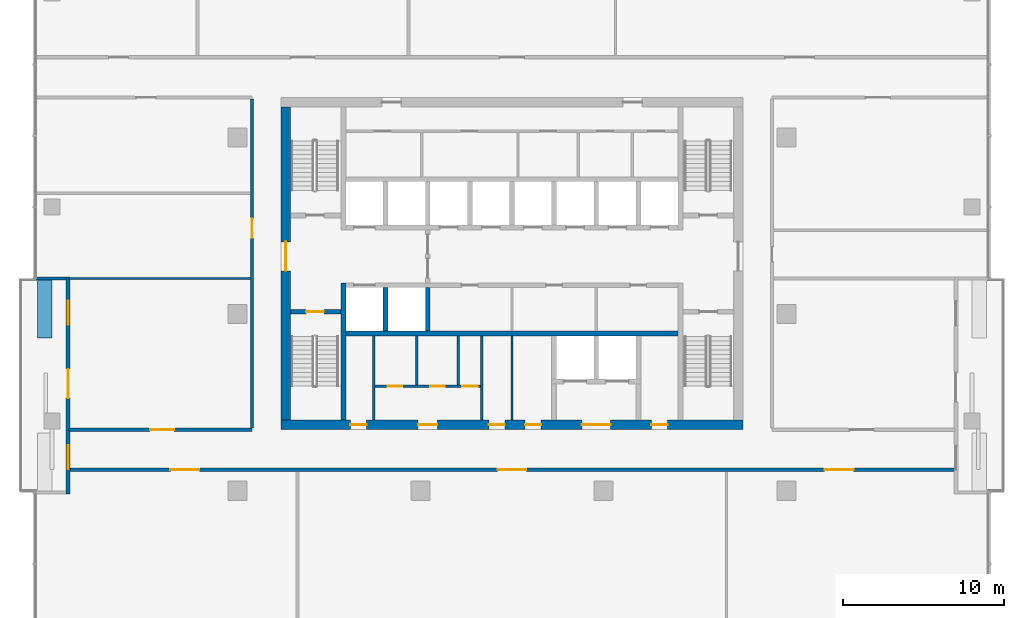
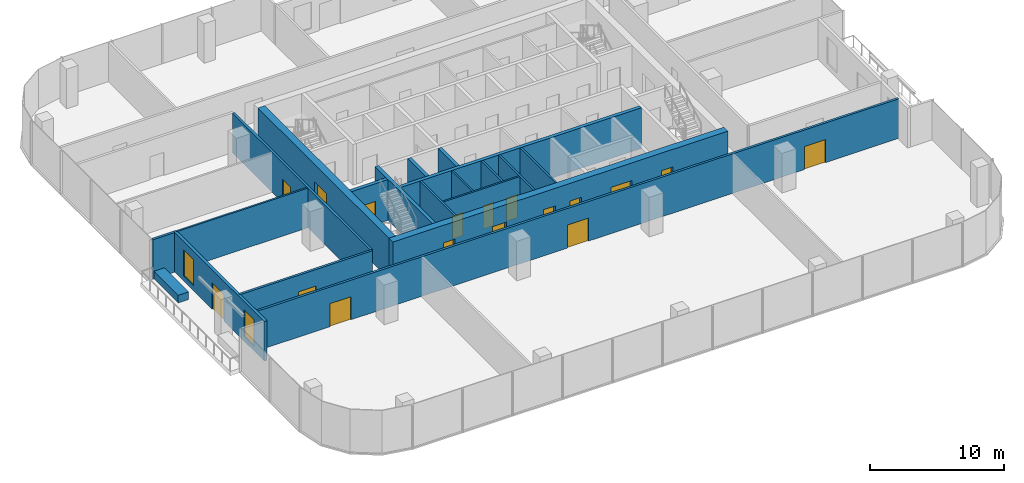
# One storey, part 7 of 13: 20 walls, 17 doors, 2 windows, 19 openings.
"""IFC4 building model written with IfcOpenShell, lengths in metres."""

from ifc_helpers import new_model, si_unit, direction, frame, frame_2d, origin, place, context, subcontext, project, spatial, rectangle, extrude, material, layer, layer_set, type_object, element, fill, save


model = new_model("IFC4")

# Units and contexts
model_context = context("Model", 3, precision=1e-05, world=origin(), true_north=direction((0.0, 1.0)))
body_context = subcontext(model_context, "Body", "Model", "MODEL_VIEW")
ifc_project = project(units=[si_unit("LENGTHUNIT", "METRE"), si_unit("AREAUNIT", "SQUARE_METRE"), si_unit("VOLUMEUNIT", "CUBIC_METRE"), si_unit("PLANEANGLEUNIT", "RADIAN"), si_unit("MASSUNIT", "GRAM", prefix="KILO")], contexts=[model_context])

# Site, building, storey
site_placement = place(None, origin())
site = spatial("IfcSite", under=ifc_project, at=site_placement, CompositionType="ELEMENT")
building_placement = place(site_placement, origin())
building = spatial("IfcBuilding", under=site, at=building_placement, Name="Mopane Tessera Tower", CompositionType="ELEMENT")
storey_placement = place(building_placement, frame((0.0, 0.0, 275.39990234375)))
storey = spatial("IfcBuildingStorey", under=building, at=storey_placement, Name="L59", CompositionType="ELEMENT", Elevation=275.39990234375)

# Wall
ifc_material_1 = material(Name="Fire-rated gypsum board partition")
ifc_layer_1 = layer(ifc_material_1, 0.14990234375)
ifc_layer_set_1 = layer_set([ifc_layer_1], Name="Fire-rated gypsum board partition")
wall_type_1 = type_object("IfcWallType", Name="Core room partition 150 mm", PredefinedType="PARTITIONING", material=ifc_layer_set_1)
wall_1_placement = place(storey_placement, frame((-8.625, -6.60009765625, 0.0), z_axis=(0.0, 0.0, 1.0), x_axis=(0.0, 1.0, 0.0)))
element("IfcWall", 1, at=wall_1_placement, inside=storey, type_object=wall_type_1, Name="L59 Room partition", PredefinedType="PARTITIONING", context=body_context, shape_type="SweptSolid", body=[
    extrude(rectangle(XDim=5.25, YDim=0.14990234375, at=frame_2d((2.625, 0.0))), origin(), (0.0, 0.0, 1.0), 3.7001953125),
])

# Wall, openings, doors
wall_2_placement = place(storey_placement, frame((-8.550048828125, -4.5, 0.0), z_axis=(0.0, 0.0, 1.0), x_axis=(1.0, 0.0, 0.0)))
wall_2 = element("IfcWall", 2, at=wall_2_placement, inside=storey, type_object=wall_type_1, Name="L59 WC partition", PredefinedType="PARTITIONING", context=body_context, shape_type="SweptSolid", body=[
    extrude(rectangle(XDim=6.60009765625, YDim=0.14990234375, at=frame_2d((3.300048828125, 0.0))), origin(), (0.0, 0.0, 1.0), 3.7001953125),
])
opening_1_placement = place(wall_2_placement, frame((0.824951171875, 0.0, 0.0)))
opening_1 = element("IfcOpeningElement", 3, at=opening_1_placement, cuts=wall_2, Name="Opening WD1", PredefinedType="OPENING", context=body_context, shape_type="SweptSolid", body=[
    extrude(rectangle(XDim=0.89990234375, YDim=2.10009765625, at=frame_2d((0.449951171875, 1.050048828125))), frame((0.0, 0.0869140625, 0.0), z_axis=(0.0, -1.0, 0.0), x_axis=(1.0, 0.0, 0.0)), (0.0, 0.0, 1.0), 0.173828125),
])
opening_2_placement = place(wall_2_placement, frame((3.45751953125, 0.0, 0.0)))
opening_2 = element("IfcOpeningElement", 4, at=opening_2_placement, cuts=wall_2, Name="Opening WD1", PredefinedType="OPENING", context=body_context, shape_type="SweptSolid", body=[
    extrude(rectangle(XDim=0.89990234375, YDim=2.10009765625, at=frame_2d((0.449951171875, 1.050048828125))), frame((0.0, 0.0869140625, 0.0), z_axis=(0.0, -1.0, 0.0), x_axis=(1.0, 0.0, 0.0)), (0.0, 0.0, 1.0), 0.173828125),
])
opening_3_placement = place(wall_2_placement, frame((5.45751953125, 0.0, 0.0)))
opening_3 = element("IfcOpeningElement", 5, at=opening_3_placement, cuts=wall_2, Name="Opening WD2", PredefinedType="OPENING", context=body_context, shape_type="SweptSolid", body=[
    extrude(rectangle(XDim=0.949951171875, YDim=2.10009765625, at=frame_2d((0.47509765625, 1.050048828125))), frame((0.0, 0.0869140625, 0.0), z_axis=(0.0, -1.0, 0.0), x_axis=(1.0, 0.0, 0.0)), (0.0, 0.0, 1.0), 0.173828125),
])
ifc_material_2 = material(Name="Timber door", Category="wood")
door_type_1 = type_object("IfcDoorType", Name="Accessible WC door 950 x 2100", OperationType="SINGLE_SWING_LEFT", PredefinedType="DOOR", material=ifc_material_2)
door_1_placement = place(opening_3_placement, origin())
door_1 = element("IfcDoor", 6, at=door_1_placement, inside=storey, type_object=door_type_1, Name="L59 Accessible WC door", OperationType="SINGLE_SWING_LEFT", OverallHeight=2.10009765625, OverallWidth=0.949951171875, PredefinedType="DOOR", context=body_context, shape_type="SweptSolid", body=[
    extrude(rectangle(XDim=0.949951171875, YDim=2.10009765625, at=frame_2d((0.47509765625, 1.050048828125))), frame((0.0, 0.02490234375, 0.0), z_axis=(0.0, -1.0, 0.0), x_axis=(1.0, 0.0, 0.0)), (0.0, 0.0, 1.0), 0.050048828125),
])
fill(opening_3, door_1)
ifc_material_3 = material(Name="Timber door", Category="wood")
door_type_2 = type_object("IfcDoorType", Name="WC cubicle door 900 x 2100", OperationType="SINGLE_SWING_LEFT", PredefinedType="DOOR", material=ifc_material_3)
door_2_placement = place(opening_1_placement, origin())
door_2 = element("IfcDoor", 7, at=door_2_placement, inside=storey, type_object=door_type_2, Name="L59 Men's WC door", OperationType="SINGLE_SWING_LEFT", OverallHeight=2.10009765625, OverallWidth=0.89990234375, PredefinedType="DOOR", context=body_context, shape_type="SweptSolid", body=[
    extrude(rectangle(XDim=0.89990234375, YDim=2.10009765625, at=frame_2d((0.449951171875, 1.050048828125))), frame((0.0, 0.02490234375, 0.0), z_axis=(0.0, -1.0, 0.0), x_axis=(1.0, 0.0, 0.0)), (0.0, 0.0, 1.0), 0.050048828125),
])
fill(opening_1, door_2)
door_3_placement = place(opening_2_placement, origin())
door_3 = element("IfcDoor", 8, at=door_3_placement, inside=storey, type_object=door_type_2, Name="L59 Women's WC door", OperationType="SINGLE_SWING_LEFT", OverallHeight=2.10009765625, OverallWidth=0.89990234375, PredefinedType="DOOR", context=body_context, shape_type="SweptSolid", body=[
    extrude(rectangle(XDim=0.89990234375, YDim=2.10009765625, at=frame_2d((0.449951171875, 1.050048828125))), frame((0.0, 0.02490234375, 0.0), z_axis=(0.0, -1.0, 0.0), x_axis=(1.0, 0.0, 0.0)), (0.0, 0.0, 1.0), 0.050048828125),
])
fill(opening_2, door_3)

# Walls
for number, where, z_axis, x_axis, name in (
    (9, (-5.925048828125, -4.425048828125, 0.0), (0.0, 0.0, 1.0), (0.0, 1.0, 0.0), "L59 WC partition"),
    (10, (-3.360107421875, -4.425048828125, 0.0), (0.0, 0.0, 1.0), (0.0, 1.0, 0.0), "L59 WC partition"),
):
    element("IfcWall", number, at=place(storey_placement, frame(where, z_axis=z_axis, x_axis=x_axis)), inside=storey, type_object=wall_type_1, Name=name, PredefinedType="PARTITIONING", context=body_context, shape_type="SweptSolid", body=[
        extrude(rectangle(XDim=3.074951171875, YDim=0.14990234375, at=frame_2d((1.53759765625, 0.0))), origin(), (0.0, 0.0, 1.0), 3.7001953125),
    ])
for number, where, z_axis, x_axis, name in (
    (11, (-1.875, -6.60009765625, 0.0), (0.0, 0.0, 1.0), (0.0, 1.0, 0.0), "L59 Room partition"),
    (12, (0.0, -6.60009765625, 0.0), (0.0, 0.0, 1.0), (0.0, 1.0, 0.0), "L59 Room partition"),
):
    element("IfcWall", number, at=place(storey_placement, frame(where, z_axis=z_axis, x_axis=x_axis)), inside=storey, type_object=wall_type_1, Name=name, PredefinedType="PARTITIONING", context=body_context, shape_type="SweptSolid", body=[
        extrude(rectangle(XDim=5.25, YDim=0.14990234375, at=frame_2d((2.625, 0.0))), origin(), (0.0, 0.0, 1.0), 3.7001953125),
    ])

# Wall, openings, doors
ifc_material_4 = material(Name="Concrete C70/85", Category="concrete")
ifc_layer_2 = layer(ifc_material_4, 0.60009765625)
ifc_layer_set_2 = layer_set([ifc_layer_2], Name="Concrete C70/85")
wall_type_2 = type_object("IfcWallType", Name="Core shear wall 600 mm", PredefinedType="SHEAR", material=ifc_layer_set_2)
wall_3_placement = place(storey_placement, frame((-14.39990234375, -6.89990234375, 0.0), z_axis=(0.0, 0.0, 1.0), x_axis=(1.0, 0.0, 0.0)))
wall_3 = element("IfcWall", 13, at=wall_3_placement, inside=storey, type_object=wall_type_2, Name="L59 Core wall south", PredefinedType="SHEAR", context=body_context, shape_type="SweptSolid", body=[
    extrude(rectangle(XDim=28.7998046875, YDim=0.60009765625, at=frame_2d((14.39990234375, 0.0))), origin(), (0.0, 0.0, 1.0), 3.7001953125),
])
opening_4_placement = place(wall_3_placement, frame((4.33740234375, 0.0, 0.0)))
opening_4 = element("IfcOpeningElement", 14, at=opening_4_placement, cuts=wall_3, Name="Opening RD1", PredefinedType="OPENING", context=body_context, shape_type="SweptSolid", body=[
    extrude(rectangle(XDim=1.0, YDim=2.10009765625, at=frame_2d((0.5, 1.050048828125))), frame((0.0, 0.31201171875, 0.0), z_axis=(0.0, -1.0, 0.0), x_axis=(1.0, 0.0, 0.0)), (0.0, 0.0, 1.0), 0.6240234375),
])
opening_5_placement = place(wall_3_placement, frame((8.550048828125, 0.0, 0.0)))
opening_5 = element("IfcOpeningElement", 15, at=opening_5_placement, cuts=wall_3, Name="Opening WD3", PredefinedType="OPENING", context=body_context, shape_type="SweptSolid", body=[
    extrude(rectangle(XDim=1.199951171875, YDim=2.10009765625, at=frame_2d((0.60009765625, 1.050048828125))), frame((0.0, 0.31201171875, 0.0), z_axis=(0.0, -1.0, 0.0), x_axis=(1.0, 0.0, 0.0)), (0.0, 0.0, 1.0), 0.6240234375),
])
opening_6_placement = place(wall_3_placement, frame((12.96240234375, 0.0, 0.0)))
opening_6 = element("IfcOpeningElement", 16, at=opening_6_placement, cuts=wall_3, Name="Opening RD1", PredefinedType="OPENING", context=body_context, shape_type="SweptSolid", body=[
    extrude(rectangle(XDim=1.0, YDim=2.10009765625, at=frame_2d((0.5, 1.050048828125))), frame((0.0, 0.31201171875, 0.0), z_axis=(0.0, -1.0, 0.0), x_axis=(1.0, 0.0, 0.0)), (0.0, 0.0, 1.0), 0.6240234375),
])
opening_7_placement = place(wall_3_placement, frame((15.21240234375, 0.0, 0.0)))
opening_7 = element("IfcOpeningElement", 17, at=opening_7_placement, cuts=wall_3, Name="Opening RD1", PredefinedType="OPENING", context=body_context, shape_type="SweptSolid", body=[
    extrude(rectangle(XDim=1.0, YDim=2.10009765625, at=frame_2d((0.5, 1.050048828125))), frame((0.0, 0.31201171875, 0.0), z_axis=(0.0, -1.0, 0.0), x_axis=(1.0, 0.0, 0.0)), (0.0, 0.0, 1.0), 0.6240234375),
])
opening_8_placement = place(wall_3_placement, frame((18.75, 0.0, 0.0)))
opening_8 = element("IfcOpeningElement", 18, at=opening_8_placement, cuts=wall_3, Name="Opening SD2", PredefinedType="OPENING", context=body_context, shape_type="SweptSolid", body=[
    extrude(rectangle(XDim=1.800048828125, YDim=2.10009765625, at=frame_2d((0.89990234375, 1.050048828125))), frame((0.0, 0.31201171875, 0.0), z_axis=(0.0, -1.0, 0.0), x_axis=(1.0, 0.0, 0.0)), (0.0, 0.0, 1.0), 0.6240234375),
])
opening_9_placement = place(wall_3_placement, frame((23.08740234375, 0.0, 0.0)))
opening_9 = element("IfcOpeningElement", 19, at=opening_9_placement, cuts=wall_3, Name="Opening RD1", PredefinedType="OPENING", context=body_context, shape_type="SweptSolid", body=[
    extrude(rectangle(XDim=1.0, YDim=2.10009765625, at=frame_2d((0.5, 1.050048828125))), frame((0.0, 0.31201171875, 0.0), z_axis=(0.0, -1.0, 0.0), x_axis=(1.0, 0.0, 0.0)), (0.0, 0.0, 1.0), 0.6240234375),
])
ifc_material_5 = material(Name="Steel fire door", Category="steel")
door_type_3 = type_object("IfcDoorType", Name="Core entrance double door 1800 x 2100", OperationType="DOUBLE_DOOR_SINGLE_SWING", PredefinedType="DOOR", material=ifc_material_5)
door_4_placement = place(opening_8_placement, origin())
door_4 = element("IfcDoor", 20, at=door_4_placement, inside=storey, type_object=door_type_3, Name="L59 Service lobby door", OperationType="DOUBLE_DOOR_SINGLE_SWING", OverallHeight=2.10009765625, OverallWidth=1.800048828125, PredefinedType="DOOR", context=body_context, shape_type="SweptSolid", body=[
    extrude(rectangle(XDim=1.800048828125, YDim=2.10009765625, at=frame_2d((0.89990234375, 1.050048828125))), frame((0.0, 0.02490234375, 0.0), z_axis=(0.0, -1.0, 0.0), x_axis=(1.0, 0.0, 0.0)), (0.0, 0.0, 1.0), 0.050048828125),
])
fill(opening_8, door_4)
ifc_material_6 = material(Name="Timber door", Category="wood")
door_type_4 = type_object("IfcDoorType", Name="Core room door 1000 x 2100", OperationType="SINGLE_SWING_LEFT", PredefinedType="DOOR", material=ifc_material_6)
door_5_placement = place(opening_4_placement, origin())
door_5 = element("IfcDoor", 21, at=door_5_placement, inside=storey, type_object=door_type_4, Name="L59 Room door", OperationType="SINGLE_SWING_LEFT", OverallHeight=2.10009765625, OverallWidth=1.0, PredefinedType="DOOR", context=body_context, shape_type="SweptSolid", body=[
    extrude(rectangle(XDim=1.0, YDim=2.10009765625, at=frame_2d((0.5, 1.050048828125))), frame((0.0, 0.02490234375, 0.0), z_axis=(0.0, -1.0, 0.0), x_axis=(1.0, 0.0, 0.0)), (0.0, 0.0, 1.0), 0.050048828125),
])
fill(opening_4, door_5)
door_6_placement = place(opening_6_placement, origin())
door_6 = element("IfcDoor", 22, at=door_6_placement, inside=storey, type_object=door_type_4, Name="L59 Room door", OperationType="SINGLE_SWING_LEFT", OverallHeight=2.10009765625, OverallWidth=1.0, PredefinedType="DOOR", context=body_context, shape_type="SweptSolid", body=[
    extrude(rectangle(XDim=1.0, YDim=2.10009765625, at=frame_2d((0.5, 1.050048828125))), frame((0.0, 0.02490234375, 0.0), z_axis=(0.0, -1.0, 0.0), x_axis=(1.0, 0.0, 0.0)), (0.0, 0.0, 1.0), 0.050048828125),
])
fill(opening_6, door_6)
door_7_placement = place(opening_7_placement, origin())
door_7 = element("IfcDoor", 23, at=door_7_placement, inside=storey, type_object=door_type_4, Name="L59 Room door", OperationType="SINGLE_SWING_LEFT", OverallHeight=2.10009765625, OverallWidth=1.0, PredefinedType="DOOR", context=body_context, shape_type="SweptSolid", body=[
    extrude(rectangle(XDim=1.0, YDim=2.10009765625, at=frame_2d((0.5, 1.050048828125))), frame((0.0, 0.02490234375, 0.0), z_axis=(0.0, -1.0, 0.0), x_axis=(1.0, 0.0, 0.0)), (0.0, 0.0, 1.0), 0.050048828125),
])
fill(opening_7, door_7)
door_8_placement = place(opening_9_placement, origin())
door_8 = element("IfcDoor", 24, at=door_8_placement, inside=storey, type_object=door_type_4, Name="L59 Room door", OperationType="SINGLE_SWING_LEFT", OverallHeight=2.10009765625, OverallWidth=1.0, PredefinedType="DOOR", context=body_context, shape_type="SweptSolid", body=[
    extrude(rectangle(XDim=1.0, YDim=2.10009765625, at=frame_2d((0.5, 1.050048828125))), frame((0.0, 0.02490234375, 0.0), z_axis=(0.0, -1.0, 0.0), x_axis=(1.0, 0.0, 0.0)), (0.0, 0.0, 1.0), 0.050048828125),
])
fill(opening_9, door_8)
ifc_material_7 = material(Name="Timber door", Category="wood")
door_type_5 = type_object("IfcDoorType", Name="WC lobby door 1200 x 2100", OperationType="SINGLE_SWING_LEFT", PredefinedType="DOOR", material=ifc_material_7)
door_9_placement = place(opening_5_placement, origin())
door_9 = element("IfcDoor", 25, at=door_9_placement, inside=storey, type_object=door_type_5, Name="L59 WC lobby door", OperationType="SINGLE_SWING_LEFT", OverallHeight=2.10009765625, OverallWidth=1.199951171875, PredefinedType="DOOR", context=body_context, shape_type="SweptSolid", body=[
    extrude(rectangle(XDim=1.199951171875, YDim=2.10009765625, at=frame_2d((0.60009765625, 1.050048828125))), frame((0.0, 0.02490234375, 0.0), z_axis=(0.0, -1.0, 0.0), x_axis=(1.0, 0.0, 0.0)), (0.0, 0.0, 1.0), 0.050048828125),
])
fill(opening_5, door_9)

# Wall, opening, door
wall_4_placement = place(storey_placement, frame((-14.10009765625, -6.60009765625, 0.0), z_axis=(0.0, 0.0, 1.0), x_axis=(0.0, 1.0, 0.0)))
wall_4 = element("IfcWall", 26, at=wall_4_placement, inside=storey, type_object=wall_type_2, Name="L59 Core wall west", PredefinedType="SHEAR", context=body_context, shape_type="SweptSolid", body=[
    extrude(rectangle(XDim=19.5, YDim=0.60009765625, at=frame_2d((9.75, 0.0))), origin(), (0.0, 0.0, 1.0), 3.7001953125),
])
opening_10_placement = place(wall_4_placement, frame((9.300048828125, 0.0, 0.0)))
opening_10 = element("IfcOpeningElement", 27, at=opening_10_placement, cuts=wall_4, Name="Opening SD2", PredefinedType="OPENING", context=body_context, shape_type="SweptSolid", body=[
    extrude(rectangle(XDim=1.800048828125, YDim=2.10009765625, at=frame_2d((0.89990234375, 1.050048828125))), frame((0.0, 0.31201171875, 0.0), z_axis=(0.0, -1.0, 0.0), x_axis=(1.0, 0.0, 0.0)), (0.0, 0.0, 1.0), 0.6240234375),
])
door_10_placement = place(opening_10_placement, origin())
door_10 = element("IfcDoor", 28, at=door_10_placement, inside=storey, type_object=door_type_3, Name="L59 Core entrance door west", OperationType="DOUBLE_DOOR_SINGLE_SWING", OverallHeight=2.10009765625, OverallWidth=1.800048828125, PredefinedType="DOOR", context=body_context, shape_type="SweptSolid", body=[
    extrude(rectangle(XDim=1.800048828125, YDim=2.10009765625, at=frame_2d((0.89990234375, 1.050048828125))), frame((0.0, 0.02490234375, 0.0), z_axis=(0.0, -1.0, 0.0), x_axis=(1.0, 0.0, 0.0)), (0.0, 0.0, 1.0), 0.050048828125),
])
fill(opening_10, door_10)

# Wall
ifc_material_8 = material(Name="Concrete C60/75", Category="concrete")
ifc_layer_3 = layer(ifc_material_8, 0.300048828125)
ifc_layer_set_3 = layer_set([ifc_layer_3], Name="Concrete C60/75")
wall_type_3 = type_object("IfcWallType", Name="Core spine wall 300 mm", PredefinedType="SHEAR", material=ifc_layer_set_3)
wall_5_placement = place(storey_placement, frame((-10.5, -6.60009765625, 0.0), z_axis=(0.0, 0.0, 1.0), x_axis=(0.0, 1.0, 0.0)))
element("IfcWall", 29, at=wall_5_placement, inside=storey, type_object=wall_type_3, Name="L59 Core spine wall", PredefinedType="SHEAR", context=body_context, shape_type="SweptSolid", body=[
    extrude(rectangle(XDim=8.550048828125, YDim=0.300048828125, at=frame_2d((4.27490234375, 0.0))), origin(), (0.0, 0.0, 1.0), 3.7001953125),
])

# Wall, openings, doors
ifc_material_9 = material(Name="Gypsum board on steel studs, two layers each face, mineral wool infill", Category="steel")
ifc_layer_4 = layer(ifc_material_9, 0.199951171875)
ifc_layer_set_4 = layer_set([ifc_layer_4], Name="Gypsum board on steel studs, two layers each face, mineral wool infill")
wall_type_4 = type_object("IfcWallType", Name="Gypsum board corridor wall 200, rated EI 60", PredefinedType="PARTITIONING", material=ifc_layer_set_4)
wall_6_placement = place(storey_placement, frame((-27.60009765625, -9.699951171875, 0.0), z_axis=(0.0, 0.0, 1.0), x_axis=(1.0, 0.0, 0.0)))
wall_6 = element("IfcWall", 30, at=wall_6_placement, inside=storey, type_object=wall_type_4, Name="Partition L59:000", PredefinedType="PARTITIONING", context=body_context, shape_type="SweptSolid", body=[
    extrude(rectangle(XDim=55.2001953125, YDim=0.199951171875, at=frame_2d((27.60009765625, 0.0))), origin(), (0.0, 0.0, 1.0), 3.60009765625),
])
opening_11_placement = place(wall_6_placement, frame((47.08251953125, 0.0, 0.0)))
opening_11 = element("IfcOpeningElement", 31, at=opening_11_placement, cuts=wall_6, Name="Opening L59-07", PredefinedType="OPENING", context=body_context, shape_type="SweptSolid", body=[
    extrude(rectangle(XDim=1.800048828125, YDim=2.10009765625, at=frame_2d((0.89990234375, 1.050048828125))), frame((0.0, 0.112060546875, 0.0), z_axis=(0.0, -1.0, 0.0), x_axis=(1.0, 0.0, 0.0)), (0.0, 0.0, 1.0), 0.223876953125),
])
opening_12_placement = place(wall_6_placement, frame((26.699951171875, 0.0, 0.0)))
opening_12 = element("IfcOpeningElement", 32, at=opening_12_placement, cuts=wall_6, Name="Opening L59-10", PredefinedType="OPENING", context=body_context, shape_type="SweptSolid", body=[
    extrude(rectangle(XDim=1.800048828125, YDim=2.10009765625, at=frame_2d((0.89990234375, 1.050048828125))), frame((0.0, 0.112060546875, 0.0), z_axis=(0.0, -1.0, 0.0), x_axis=(1.0, 0.0, 0.0)), (0.0, 0.0, 1.0), 0.223876953125),
])
opening_13_placement = place(wall_6_placement, frame((6.3173828125, 0.0, 0.0)))
opening_13 = element("IfcOpeningElement", 33, at=opening_13_placement, cuts=wall_6, Name="Opening L59-11", PredefinedType="OPENING", context=body_context, shape_type="SweptSolid", body=[
    extrude(rectangle(XDim=1.800048828125, YDim=2.10009765625, at=frame_2d((0.89990234375, 1.050048828125))), frame((0.0, 0.112060546875, 0.0), z_axis=(0.0, -1.0, 0.0), x_axis=(1.0, 0.0, 0.0)), (0.0, 0.0, 1.0), 0.223876953125),
])
ifc_material_10 = material(Name="Timber veneered steel-framed fire door", Category="steel")
door_type_6 = type_object("IfcDoorType", Name="Fire door pair FD60 1800 x 2100", OperationType="DOUBLE_DOOR_SINGLE_SWING", PredefinedType="DOOR", material=ifc_material_10)
door_11_placement = place(opening_11_placement, origin())
door_11 = element("IfcDoor", 34, at=door_11_placement, inside=storey, type_object=door_type_6, Name="Door L59-07", ObjectType="D20A", OperationType="DOUBLE_DOOR_SINGLE_SWING", OverallHeight=2.10009765625, OverallWidth=1.800048828125, PredefinedType="DOOR", context=body_context, shape_type="SweptSolid", body=[
    extrude(rectangle(XDim=1.800048828125, YDim=2.10009765625, at=frame_2d((0.89990234375, 1.050048828125))), frame((0.0, 0.02490234375, 0.0), z_axis=(0.0, -1.0, 0.0), x_axis=(1.0, 0.0, 0.0)), (0.0, 0.0, 1.0), 0.050048828125),
])
fill(opening_11, door_11)
door_12_placement = place(opening_12_placement, origin())
door_12 = element("IfcDoor", 35, at=door_12_placement, inside=storey, type_object=door_type_6, Name="Door L59-10", ObjectType="D20A", OperationType="DOUBLE_DOOR_SINGLE_SWING", OverallHeight=2.10009765625, OverallWidth=1.800048828125, PredefinedType="DOOR", context=body_context, shape_type="SweptSolid", body=[
    extrude(rectangle(XDim=1.800048828125, YDim=2.10009765625, at=frame_2d((0.89990234375, 1.050048828125))), frame((0.0, 0.02490234375, 0.0), z_axis=(0.0, -1.0, 0.0), x_axis=(1.0, 0.0, 0.0)), (0.0, 0.0, 1.0), 0.050048828125),
])
fill(opening_12, door_12)
door_13_placement = place(opening_13_placement, origin())
door_13 = element("IfcDoor", 36, at=door_13_placement, inside=storey, type_object=door_type_6, Name="Door L59-11", ObjectType="D20A", OperationType="DOUBLE_DOOR_SINGLE_SWING", OverallHeight=2.10009765625, OverallWidth=1.800048828125, PredefinedType="DOOR", context=body_context, shape_type="SweptSolid", body=[
    extrude(rectangle(XDim=1.800048828125, YDim=2.10009765625, at=frame_2d((0.89990234375, 1.050048828125))), frame((0.0, 0.02490234375, 0.0), z_axis=(0.0, -1.0, 0.0), x_axis=(1.0, 0.0, 0.0)), (0.0, 0.0, 1.0), 0.050048828125),
])
fill(opening_13, door_13)

# Wall, opening, door
wall_7_placement = place(storey_placement, frame((-27.60009765625, -7.199951171875, 0.0), z_axis=(0.0, 0.0, 1.0), x_axis=(1.0, 0.0, 0.0)))
wall_7 = element("IfcWall", 37, at=wall_7_placement, inside=storey, type_object=wall_type_4, Name="Partition L59:001", PredefinedType="PARTITIONING", context=body_context, shape_type="SweptSolid", body=[
    extrude(rectangle(XDim=11.400146484375, YDim=0.199951171875, at=frame_2d((5.7001953125, 0.0))), origin(), (0.0, 0.0, 1.0), 3.60009765625),
])
opening_14_placement = place(wall_7_placement, frame((5.050048828125, 0.0, 0.0)))
opening_14 = element("IfcOpeningElement", 38, at=opening_14_placement, cuts=wall_7, Name="Opening L59-03", PredefinedType="OPENING", context=body_context, shape_type="SweptSolid", body=[
    extrude(rectangle(XDim=1.5, YDim=2.10009765625, at=frame_2d((0.75, 1.050048828125))), frame((0.0, 0.112060546875, 0.0), z_axis=(0.0, -1.0, 0.0), x_axis=(1.0, 0.0, 0.0)), (0.0, 0.0, 1.0), 0.223876953125),
])
ifc_material_11 = material(Name="Timber veneered steel-framed fire door", Category="steel")
door_type_7 = type_object("IfcDoorType", Name="Fire door pair FD60 1500 x 2100", OperationType="DOUBLE_DOOR_SINGLE_SWING", PredefinedType="DOOR", material=ifc_material_11)
door_14_placement = place(opening_14_placement, origin())
door_14 = element("IfcDoor", 39, at=door_14_placement, inside=storey, type_object=door_type_7, Name="Door L59-03", ObjectType="D17A", OperationType="DOUBLE_DOOR_SINGLE_SWING", OverallHeight=2.10009765625, OverallWidth=1.5, PredefinedType="DOOR", context=body_context, shape_type="SweptSolid", body=[
    extrude(rectangle(XDim=1.5, YDim=2.10009765625, at=frame_2d((0.75, 1.050048828125))), frame((0.0, 0.02490234375, 0.0), z_axis=(0.0, -1.0, 0.0), x_axis=(1.0, 0.0, 0.0)), (0.0, 0.0, 1.0), 0.050048828125),
])
fill(opening_14, door_14)

wall_8_placement = place(storey_placement, frame((-16.199951171875, -7.10009765625, 0.0), z_axis=(0.0, 0.0, 1.0), x_axis=(0.0, 1.0, 0.0)))
wall_8 = element("IfcWall", 40, at=wall_8_placement, inside=storey, type_object=wall_type_4, Name="Partition L59:011", PredefinedType="PARTITIONING", context=body_context, shape_type="SweptSolid", body=[
    extrude(rectangle(XDim=20.5, YDim=0.199951171875, at=frame_2d((10.25, 0.0))), origin(), (0.0, 0.0, 1.0), 3.60009765625),
])
opening_15_placement = place(wall_8_placement, frame((11.844970703125, 0.0, 0.0)))
opening_15 = element("IfcOpeningElement", 41, at=opening_15_placement, cuts=wall_8, Name="Opening L59-09", PredefinedType="OPENING", context=body_context, shape_type="SweptSolid", body=[
    extrude(rectangle(XDim=1.199951171875, YDim=2.10009765625, at=frame_2d((0.60009765625, 1.050048828125))), frame((0.0, 0.112060546875, 0.0), z_axis=(0.0, -1.0, 0.0), x_axis=(1.0, 0.0, 0.0)), (0.0, 0.0, 1.0), 0.223876953125),
])
ifc_material_12 = material(Name="Timber veneered steel-framed fire door", Category="steel")
door_type_8 = type_object("IfcDoorType", Name="Fire door FD60 1200 x 2100", OperationType="SINGLE_SWING_LEFT", PredefinedType="DOOR", material=ifc_material_12)
door_15_placement = place(opening_15_placement, origin())
door_15 = element("IfcDoor", 42, at=door_15_placement, inside=storey, type_object=door_type_8, Name="Door L59-09", ObjectType="D15A", OperationType="SINGLE_SWING_RIGHT", OverallHeight=2.10009765625, OverallWidth=1.199951171875, PredefinedType="DOOR", context=body_context, shape_type="SweptSolid", body=[
    extrude(rectangle(XDim=1.199951171875, YDim=2.10009765625, at=frame_2d((0.60009765625, 1.050048828125))), frame((0.0, 0.02490234375, 0.0), z_axis=(0.0, -1.0, 0.0), x_axis=(1.0, 0.0, 0.0)), (0.0, 0.0, 1.0), 0.050048828125),
])
fill(opening_15, door_15)

# Wall
ifc_material_13 = material(Name="Gypsum board on steel studs, mineral wool infill", Category="steel")
ifc_layer_5 = layer(ifc_material_13, 0.14990234375)
ifc_layer_set_5 = layer_set([ifc_layer_5], Name="Gypsum board on steel studs, mineral wool infill")
wall_type_5 = type_object("IfcWallType", Name="Gypsum board partition 150, rated EI 60", PredefinedType="PARTITIONING", material=ifc_layer_set_5)
wall_9_placement = place(storey_placement, frame((-27.60009765625, 2.219970703125, 0.0), z_axis=(0.0, 0.0, 1.0), x_axis=(1.0, 0.0, 0.0)))
element("IfcWall", 43, at=wall_9_placement, inside=storey, type_object=wall_type_5, Name="Partition L59:003", PredefinedType="PARTITIONING", context=body_context, shape_type="SweptSolid", body=[
    extrude(rectangle(XDim=11.300048828125, YDim=0.14990234375, at=frame_2d((5.64990234375, 0.0))), origin(), (0.0, 0.0, 1.0), 3.60009765625),
])

# Wall, opening, door
ifc_material_14 = material(Name="Concrete C50/60", Category="concrete")
ifc_layer_6 = layer(ifc_material_14, 0.300048828125)
ifc_layer_set_6 = layer_set([ifc_layer_6], Name="Concrete C50/60")
wall_type_6 = type_object("IfcWallType", Name="Lift and stair shaft wall 300 mm", PredefinedType="SOLIDWALL", material=ifc_layer_set_6)
wall_10_placement = place(storey_placement, frame((-13.800048828125, 0.14990234375, 0.0), z_axis=(0.0, 0.0, 1.0), x_axis=(1.0, 0.0, 0.0)))
wall_10 = element("IfcWall", 44, at=wall_10_placement, inside=storey, type_object=wall_type_6, Name="L59 Stair enclosure wall", PredefinedType="SOLIDWALL", context=body_context, shape_type="SweptSolid", body=[
    extrude(rectangle(XDim=3.150146484375, YDim=0.300048828125, at=frame_2d((1.5751953125, 0.0))), origin(), (0.0, 0.0, 1.0), 3.7001953125),
])
opening_16_placement = place(wall_10_placement, frame((0.97509765625, 0.0, 0.0)))
opening_16 = element("IfcOpeningElement", 45, at=opening_16_placement, cuts=wall_10, Name="Opening SD1", PredefinedType="OPENING", context=body_context, shape_type="SweptSolid", body=[
    extrude(rectangle(XDim=1.10009765625, YDim=2.10009765625, at=frame_2d((0.550048828125, 1.050048828125))), frame((0.0, 0.162109375, 0.0), z_axis=(0.0, -1.0, 0.0), x_axis=(1.0, 0.0, 0.0)), (0.0, 0.0, 1.0), 0.323974609375),
])
ifc_material_15 = material(Name="Steel fire door", Category="steel")
door_type_9 = type_object("IfcDoorType", Name="Stair fire door 1100 x 2100", OperationType="SINGLE_SWING_LEFT", PredefinedType="DOOR", material=ifc_material_15)
door_16_placement = place(opening_16_placement, origin())
door_16 = element("IfcDoor", 46, at=door_16_placement, inside=storey, type_object=door_type_9, Name="L59 Stair door ST1", OperationType="SINGLE_SWING_LEFT", OverallHeight=2.10009765625, OverallWidth=1.10009765625, PredefinedType="DOOR", context=body_context, shape_type="SweptSolid", body=[
    extrude(rectangle(XDim=1.10009765625, YDim=2.10009765625, at=frame_2d((0.550048828125, 1.050048828125))), frame((0.0, 0.02490234375, 0.0), z_axis=(0.0, -1.0, 0.0), x_axis=(1.0, 0.0, 0.0)), (0.0, 0.0, 1.0), 0.050048828125),
])
fill(opening_16, door_16)

# Walls
wall_11_placement = place(storey_placement, frame((-10.35009765625, -1.199951171875, 0.0), z_axis=(0.0, 0.0, 1.0), x_axis=(1.0, 0.0, 0.0)))
element("IfcWall", 47, at=wall_11_placement, inside=storey, type_object=wall_type_6, Name="L59 Lift shaft rear wall", PredefinedType="SOLIDWALL", context=body_context, shape_type="SweptSolid", body=[
    extrude(rectangle(XDim=20.7001953125, YDim=0.300048828125, at=frame_2d((10.35009765625, 0.0))), origin(), (0.0, 0.0, 1.0), 3.7001953125),
])
for number, where, z_axis, x_axis, name in (
    (48, (-7.875, -1.050048828125, 0.0), (0.0, 0.0, 1.0), (0.0, 1.0, 0.0), "L59 Lift shaft wall"),
    (49, (-5.25, -1.050048828125, 0.0), (0.0, 0.0, 1.0), (0.0, 1.0, 0.0), "L59 Lift shaft wall"),
):
    element("IfcWall", number, at=place(storey_placement, frame(where, z_axis=z_axis, x_axis=x_axis)), inside=storey, type_object=wall_type_6, Name=name, PredefinedType="SOLIDWALL", context=body_context, shape_type="SweptSolid", body=[
        extrude(rectangle(XDim=2.699951171875, YDim=0.300048828125, at=frame_2d((1.35009765625, 0.0))), origin(), (0.0, 0.0, 1.0), 3.7001953125),
    ])
ifc_material_16 = material(Name="Reinforced concrete C32/40 with waterproofing", Category="concrete")
ifc_layer_7 = layer(ifc_material_16, 0.89990234375)
ifc_layer_set_7 = layer_set([ifc_layer_7], Name="Reinforced concrete C32/40 with waterproofing")
wall_type_7 = type_object("IfcWallType", Name="Planter trough 3600 x 900", PredefinedType="STANDARD", material=ifc_layer_set_7)
wall_12_placement = place(storey_placement, frame((-29.10009765625, 2.122314453125, 0.0), z_axis=(0.0, 0.0, 1.0), x_axis=(0.0, -1.0, 0.0)))
element("IfcWall", 50, at=wall_12_placement, inside=storey, type_object=wall_type_7, Name="e:nw:L59:N3:pl0", PredefinedType="STANDARD", context=body_context, shape_type="SweptSolid", body=[
    extrude(rectangle(XDim=3.60009765625, YDim=0.89990234375, at=frame_2d((1.800048828125, 0.0))), origin(), (0.0, 0.0, 1.0), 0.7001953125),
])
ifc_material_17 = material(Name="Blockwork with glazed tile facing", Category="masonry")
ifc_layer_8 = layer(ifc_material_17, 0.199951171875)
ifc_layer_set_8 = layer_set([ifc_layer_8], Name="Blockwork with glazed tile facing")
wall_type_8 = type_object("IfcWallType", Name="Terrace cheek wall 200", PredefinedType="STANDARD", material=ifc_layer_set_8)
wall_13_placement = place(storey_placement, frame((-29.64990234375, 2.22216796875, 0.0), z_axis=(0.0, 0.0, 1.0), x_axis=(1.0, 0.0, 0.0)))
element("IfcWall", 51, at=wall_13_placement, inside=storey, type_object=wall_type_8, Name="e:nw:L59:N3:cheeka", PredefinedType="STANDARD", context=body_context, shape_type="SweptSolid", body=[
    extrude(rectangle(XDim=1.875, YDim=0.199951171875, at=frame_2d((0.9375, 0.0))), origin(), (0.0, 0.0, 1.0), 3.60009765625),
])

# Wall, openings, windows, door
ifc_material_18 = material(Name="Blockwork with turquoise glazed tile facing", Category="masonry")
ifc_layer_9 = layer(ifc_material_18, 0.25)
ifc_layer_set_9 = layer_set([ifc_layer_9], Name="Blockwork with turquoise glazed tile facing")
wall_type_9 = type_object("IfcWallType", Name="Tile-clad external wall 250, turquoise", PredefinedType="STANDARD", material=ifc_layer_set_9)
wall_14_placement = place(storey_placement, frame((-27.64990234375, 2.322265625, 0.0), z_axis=(0.0, 0.0, 1.0), x_axis=(0.0, -1.0, 0.0)))
wall_14 = element("IfcWall", 52, at=wall_14_placement, inside=storey, type_object=wall_type_9, Name="e:nw:L59:N3:back", PredefinedType="STANDARD", context=body_context, shape_type="SweptSolid", body=[
    extrude(rectangle(XDim=13.533447265625, YDim=0.25, at=frame_2d((6.7666015625, 0.0))), origin(), (0.0, 0.0, 1.0), 3.60009765625),
])
opening_17_placement = place(wall_14_placement, frame((1.5, 0.0, 0.449951171875)))
opening_17 = element("IfcOpeningElement", 53, at=opening_17_placement, cuts=wall_14, Name="Opening NW593A", PredefinedType="OPENING", context=body_context, shape_type="SweptSolid", body=[
    extrude(rectangle(XDim=1.5, YDim=2.39990234375, at=frame_2d((0.75, 1.199951171875))), frame((0.0, 0.136962890625, 0.0), z_axis=(0.0, -1.0, 0.0), x_axis=(1.0, 0.0, 0.0)), (0.0, 0.0, 1.0), 0.27392578125),
])
opening_18_placement = place(wall_14_placement, frame((5.75, 0.0, 0.0)))
opening_18 = element("IfcOpeningElement", 54, at=opening_18_placement, cuts=wall_14, Name="Opening ND593", PredefinedType="OPENING", context=body_context, shape_type="SweptSolid", body=[
    extrude(rectangle(XDim=1.800048828125, YDim=2.39990234375, at=frame_2d((0.89990234375, 1.199951171875))), frame((0.0, 0.136962890625, 0.0), z_axis=(0.0, -1.0, 0.0), x_axis=(1.0, 0.0, 0.0)), (0.0, 0.0, 1.0), 0.27392578125),
])
opening_19_placement = place(wall_14_placement, frame((10.5, 0.0, 0.449951171875)))
opening_19 = element("IfcOpeningElement", 55, at=opening_19_placement, cuts=wall_14, Name="Opening NW593B", PredefinedType="OPENING", context=body_context, shape_type="SweptSolid", body=[
    extrude(rectangle(XDim=1.5, YDim=2.39990234375, at=frame_2d((0.75, 1.199951171875))), frame((0.0, 0.136962890625, 0.0), z_axis=(0.0, -1.0, 0.0), x_axis=(1.0, 0.0, 0.0)), (0.0, 0.0, 1.0), 0.27392578125),
])
ifc_material_19 = material(Name="Clear laminated glass", Category="glass")
window_type = type_object("IfcWindowType", Name="Fixed window 1500 x 2400", PartitioningType="SINGLE_PANEL", PredefinedType="WINDOW", material=ifc_material_19)
window_1_placement = place(opening_17_placement, origin())
window_1 = element("IfcWindow", 56, at=window_1_placement, inside=storey, type_object=window_type, Name="e:nw:L59:N3:win0", OverallHeight=2.39990234375, OverallWidth=1.5, PartitioningType="SINGLE_PANEL", PredefinedType="WINDOW", context=body_context, shape_type="SweptSolid", body=[
    extrude(rectangle(XDim=1.5, YDim=2.39990234375, at=frame_2d((0.75, 1.199951171875))), frame((0.0, 0.030029296875, 0.0), z_axis=(0.0, -1.0, 0.0), x_axis=(1.0, 0.0, 0.0)), (0.0, 0.0, 1.0), 0.06005859375),
])
fill(opening_17, window_1)
window_2_placement = place(opening_19_placement, origin())
window_2 = element("IfcWindow", 57, at=window_2_placement, inside=storey, type_object=window_type, Name="e:nw:L59:N3:win2", OverallHeight=2.39990234375, OverallWidth=1.5, PartitioningType="SINGLE_PANEL", PredefinedType="WINDOW", context=body_context, shape_type="SweptSolid", body=[
    extrude(rectangle(XDim=1.5, YDim=2.39990234375, at=frame_2d((0.75, 1.199951171875))), frame((0.0, 0.030029296875, 0.0), z_axis=(0.0, -1.0, 0.0), x_axis=(1.0, 0.0, 0.0)), (0.0, 0.0, 1.0), 0.06005859375),
])
fill(opening_19, window_2)
ifc_material_20 = material(Name="Aluminium and clear glass", Category="aluminium")
door_type_10 = type_object("IfcDoorType", Name="Terrace double door 1800 x 2400", OperationType="DOUBLE_DOOR_SINGLE_SWING", PredefinedType="DOOR", material=ifc_material_20)
door_17_placement = place(opening_18_placement, origin())
door_17 = element("IfcDoor", 58, at=door_17_placement, inside=storey, type_object=door_type_10, Name="e:nw:L59:N3:door", ObjectType="D1", OperationType="DOUBLE_DOOR_SINGLE_SWING", OverallHeight=2.39990234375, OverallWidth=1.800048828125, PredefinedType="DOOR", context=body_context, shape_type="SweptSolid", body=[
    extrude(rectangle(XDim=1.800048828125, YDim=2.39990234375, at=frame_2d((0.89990234375, 1.199951171875))), frame((0.0, 0.02490234375, 0.0), z_axis=(0.0, -1.0, 0.0), x_axis=(1.0, 0.0, 0.0)), (0.0, 0.0, 1.0), 0.050048828125),
])
fill(opening_18, door_17)

save(model, "model.ifc")
